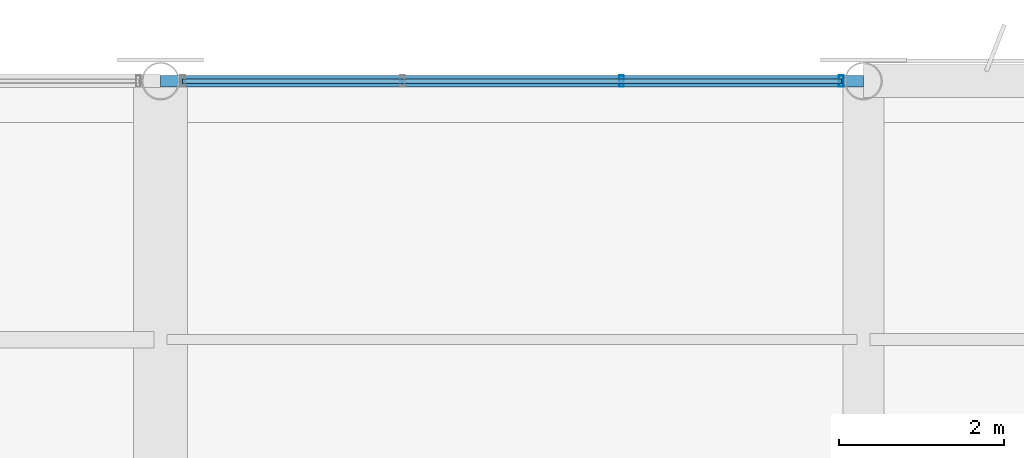
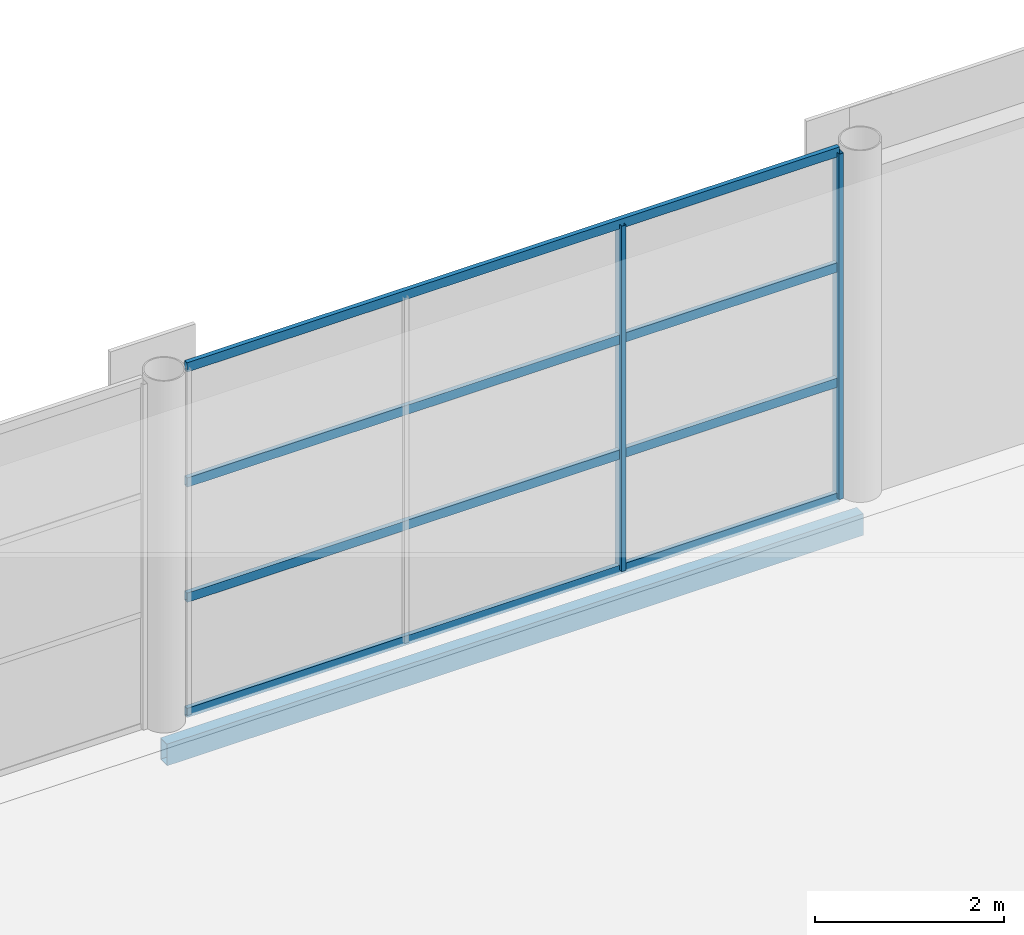
# One storey, part 45 of 112: 6 members, 1 beam, 1 element without a shape of its own.
"""IFC4 building model written with IfcOpenShell, lengths in metres."""

from ifc_helpers import new_model, si_unit, direction, frame, origin, origin_2d, place, context, subcontext, project, spatial, hollow_rectangle, extrude, material, material_profile, profile_set, type_object, element, aggregate, save


model = new_model("IFC4")

# Units and contexts
model_context = context("Model", 3, precision=1e-05, world=origin(), true_north=direction((0.0, 1.0)))
body_context = subcontext(model_context, "Body", "Model", "MODEL_VIEW")
ifc_project = project(units=[si_unit("LENGTHUNIT", "METRE"), si_unit("AREAUNIT", "SQUARE_METRE"), si_unit("VOLUMEUNIT", "CUBIC_METRE"), si_unit("PLANEANGLEUNIT", "RADIAN"), si_unit("MASSUNIT", "GRAM", prefix="KILO")], contexts=[model_context])

# Site, building, storey
site_placement = place(None, origin())
site = spatial("IfcSite", under=ifc_project, at=site_placement, CompositionType="ELEMENT")
building_placement = place(site_placement, origin())
building = spatial("IfcBuilding", under=site, at=building_placement, Name="Solvikara Media Centre", CompositionType="ELEMENT")
storey_placement = place(building_placement, frame((0.0, 0.0, 5.39990234375)))
storey = spatial("IfcBuildingStorey", under=building, at=storey_placement, Name="L01", CompositionType="ELEMENT", Elevation=5.39990234375)

# Beam
ifc_material_1 = material(Name="Steel S355JR", Category="steel")
ifc_material_profile_1 = material_profile(ifc_material_1, hollow_rectangle(XDim=0.139892578125, YDim=0.280029296875, WallThickness=0.008056640625, at=origin_2d()), Name="RHS 280x140x8")
ifc_profile_set_1 = profile_set([ifc_material_profile_1], Name="Steel S355JR")
beam_type = type_object("IfcBeamType", Name="BM-46", PredefinedType="SPANDREL", material=ifc_profile_set_1)
beam_placement = place(storey_placement, frame((8.5, 114.0, -0.40185546875), z_axis=(1.0, 0.0, 0.0), x_axis=(0.0, 1.0, 0.0)))
element("IfcBeam", 1, at=beam_placement, inside=storey, type_object=beam_type, Name="B-L01-X0528", PredefinedType="SPANDREL", context=body_context, shape_type="SweptSolid", body=[
    extrude(hollow_rectangle(XDim=0.139892578125, YDim=0.280029296875, WallThickness=0.008056640625, at=origin_2d()), origin(), (0.0, 0.0, 1.0), 8.5),
])

# Curtain wall, members
ifc_material_2 = material(Name="Anodised aluminium EN AW-6063", Category="aluminium")
curtain_wall_type = type_object("IfcCurtainWallType", Name="CW-08", PredefinedType="NOTDEFINED", material=ifc_material_2)
curtain_wall_placement = place(storey_placement, origin())
curtain_wall = element("IfcCurtainWall", 2, at=curtain_wall_placement, inside=storey, type_object=curtain_wall_type, Name="CW-L01-V3N-S2", PredefinedType="NOTDEFINED")
ifc_material_profile_2 = material_profile(ifc_material_2, hollow_rectangle(XDim=0.054931640625, YDim=0.139892578125, WallThickness=0.0029296875, at=origin_2d()), Name="ALU-M 55x140x3")
ifc_profile_set_2 = profile_set([ifc_material_profile_2], Name="Anodised aluminium EN AW-6063")
member_type_1 = type_object("IfcMemberType", Name="MF-05", PredefinedType="MULLION", material=ifc_profile_set_2)
member_1_placement = place(storey_placement, frame((14.076904296875, 114.0, 0.02001953125), z_axis=(0.0, 0.0, 1.0), x_axis=(1.0, 0.0, 0.0)))
member_1 = element("IfcMember", 3, at=member_1_placement, type_object=member_type_1, Name="CW-L01-V3N-S2-M02", PredefinedType="MULLION", context=body_context, shape_type="SweptSolid", body=[
    extrude(hollow_rectangle(XDim=0.054931640625, YDim=0.139892578125, WallThickness=0.0029296875, at=origin_2d()), origin(), (0.0, 0.0, 1.0), 4.4599609375),
])
member_2_placement = place(storey_placement, frame((16.73193359375, 114.0, 0.02001953125), z_axis=(0.0, 0.0, 1.0), x_axis=(1.0, 0.0, 0.0)))
member_2 = element("IfcMember", 4, at=member_2_placement, type_object=member_type_1, Name="CW-L01-V3N-S2-M03", PredefinedType="MULLION", context=body_context, shape_type="SweptSolid", body=[
    extrude(hollow_rectangle(XDim=0.054931640625, YDim=0.139892578125, WallThickness=0.0029296875, at=origin_2d()), origin(), (0.0, 0.0, 1.0), 4.4599609375),
])
ifc_material_profile_3 = material_profile(ifc_material_2, hollow_rectangle(XDim=0.054931640625, YDim=0.1201171875, WallThickness=0.0029296875, at=origin_2d()), Name="ALU-T 55x120x3")
ifc_profile_set_3 = profile_set([ifc_material_profile_3], Name="Anodised aluminium EN AW-6063")
member_type_2 = type_object("IfcMemberType", Name="MF-11", PredefinedType="USERDEFINED", material=ifc_profile_set_3)
member_3_placement = place(storey_placement, frame((8.76806640625, 114.0, 0.02001953125), z_axis=(1.0, 0.0, 0.0), x_axis=(0.0, 1.0, 0.0)))
member_3 = element("IfcMember", 5, at=member_3_placement, type_object=member_type_2, Name="CW-L01-V3N-S2-T00", ObjectType="TRANSOM", PredefinedType="USERDEFINED", context=body_context, shape_type="SweptSolid", body=[
    extrude(hollow_rectangle(XDim=0.054931640625, YDim=0.1201171875, WallThickness=0.0029296875, at=origin_2d()), origin(), (0.0, 0.0, 1.0), 7.9638671875),
])
member_4_placement = place(storey_placement, frame((8.76806640625, 114.0, 1.507080078125), z_axis=(1.0, 0.0, 0.0), x_axis=(0.0, 1.0, 0.0)))
member_4 = element("IfcMember", 6, at=member_4_placement, type_object=member_type_2, Name="CW-L01-V3N-S2-T01", ObjectType="TRANSOM", PredefinedType="USERDEFINED", context=body_context, shape_type="SweptSolid", body=[
    extrude(hollow_rectangle(XDim=0.054931640625, YDim=0.1201171875, WallThickness=0.0029296875, at=origin_2d()), origin(), (0.0, 0.0, 1.0), 7.9638671875),
])
member_5_placement = place(storey_placement, frame((8.76806640625, 114.0, 2.9931640625), z_axis=(1.0, 0.0, 0.0), x_axis=(0.0, 1.0, 0.0)))
member_5 = element("IfcMember", 7, at=member_5_placement, type_object=member_type_2, Name="CW-L01-V3N-S2-T02", ObjectType="TRANSOM", PredefinedType="USERDEFINED", context=body_context, shape_type="SweptSolid", body=[
    extrude(hollow_rectangle(XDim=0.054931640625, YDim=0.1201171875, WallThickness=0.0029296875, at=origin_2d()), origin(), (0.0, 0.0, 1.0), 7.9638671875),
])
member_6_placement = place(storey_placement, frame((8.76806640625, 114.0, 4.47998046875), z_axis=(1.0, 0.0, 0.0), x_axis=(0.0, 1.0, 0.0)))
member_6 = element("IfcMember", 8, at=member_6_placement, type_object=member_type_2, Name="CW-L01-V3N-S2-T03", ObjectType="TRANSOM", PredefinedType="USERDEFINED", context=body_context, shape_type="SweptSolid", body=[
    extrude(hollow_rectangle(XDim=0.054931640625, YDim=0.1201171875, WallThickness=0.0029296875, at=origin_2d()), origin(), (0.0, 0.0, 1.0), 7.9638671875),
])
aggregate(curtain_wall, [member_1, member_2, member_3, member_4, member_5, member_6])

save(model, "model.ifc")
